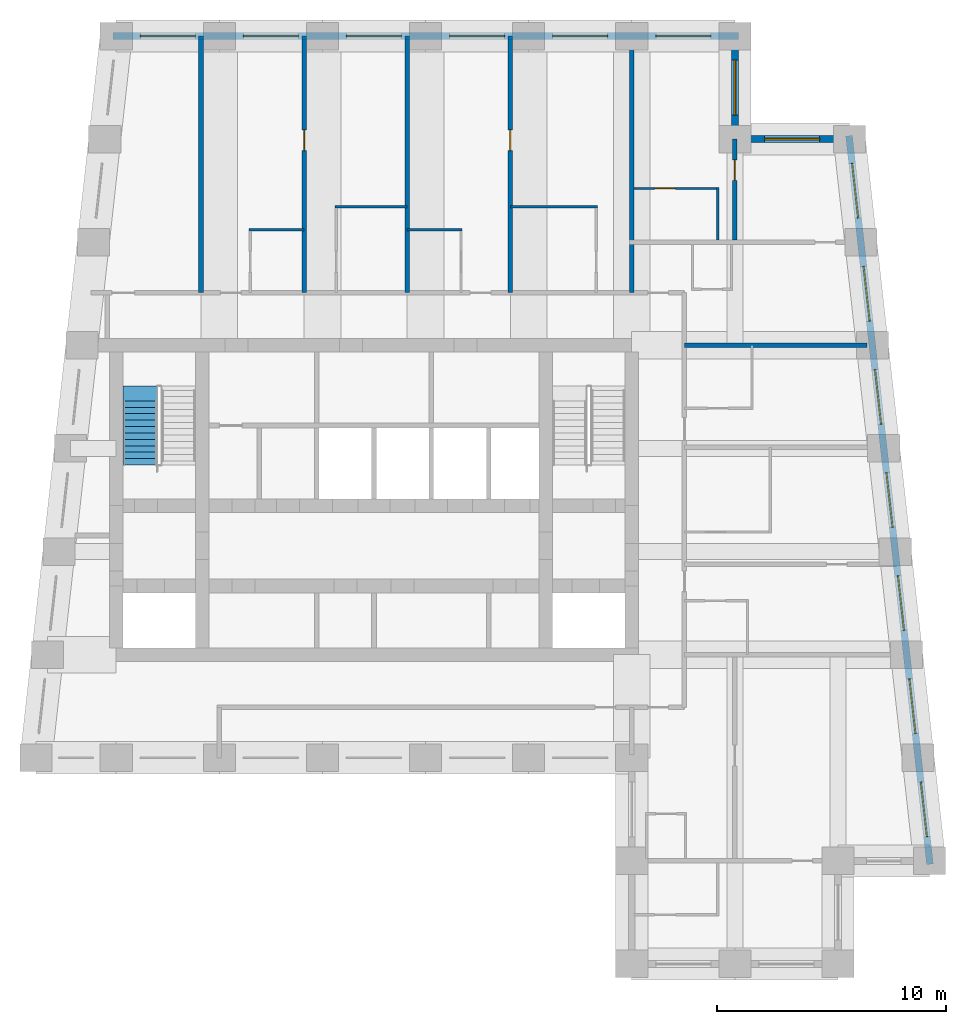
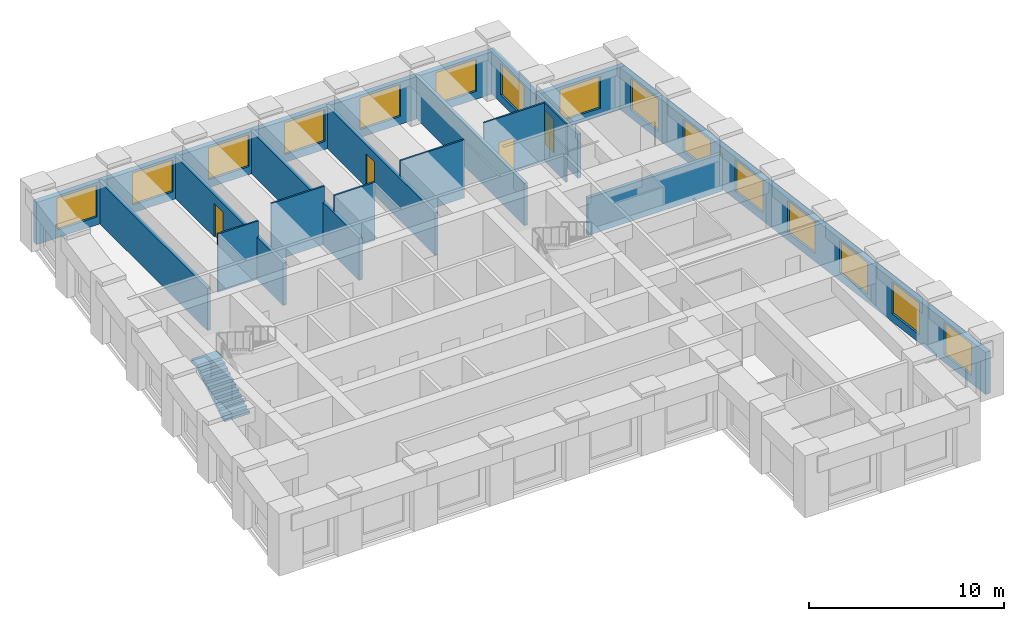
# One storey, part 5 of 7: 17 walls, 15 windows, 4 doors, 1 stair flight, 19 openings, 1 element without a shape of its own.
"""IFC4 building model written with IfcOpenShell, lengths in metres."""

from ifc_helpers import new_model, si_unit, direction, frame, frame_2d, origin, place, context, subcontext, project, spatial, polyline, rectangle, outline, extrude, material, layer, layer_set, type_object, element, fill, aggregate, save


model = new_model("IFC4")

# Units and contexts
model_context = context("Model", 3, precision=1e-05, world=origin(), true_north=direction((0.0, 1.0)))
body_context = subcontext(model_context, "Body", "Model", "MODEL_VIEW")
ifc_project = project(units=[si_unit("LENGTHUNIT", "METRE"), si_unit("AREAUNIT", "SQUARE_METRE"), si_unit("VOLUMEUNIT", "CUBIC_METRE"), si_unit("PLANEANGLEUNIT", "RADIAN"), si_unit("MASSUNIT", "GRAM", prefix="KILO")], contexts=[model_context])

# Site, building, storey
site_placement = place(None, origin())
site = spatial("IfcSite", under=ifc_project, at=site_placement, CompositionType="ELEMENT")
building_placement = place(site_placement, origin())
building = spatial("IfcBuilding", under=site, at=building_placement, Name="Kilele Tower Hotel", CompositionType="ELEMENT")
storey_placement = place(building_placement, frame((0.0, 0.0, 270.199951171875)))
storey = spatial("IfcBuildingStorey", under=building, at=storey_placement, Name="L69", CompositionType="ELEMENT", Elevation=270.199951171875)

# Walls
ifc_material_1 = material(Name="Moisture-resistant board")
ifc_layer_1 = layer(ifc_material_1, 0.10009765625)
ifc_layer_set_1 = layer_set([ifc_layer_1], Name="Moisture-resistant board")
wall_type_1 = type_object("IfcWallType", Name="Bathroom partition 100", PredefinedType="PLUMBINGWALL", material=ifc_layer_set_1)
wall_1_placement = place(storey_placement, frame((19.300048828125, 32.050048828125, 0.0), z_axis=(0.0, 0.0, 1.0), x_axis=(1.0, 0.0, 0.0)))
element("IfcWall", 1, at=wall_1_placement, inside=storey, type_object=wall_type_1, Name="Bathroom partition 100 L69", PredefinedType="PLUMBINGWALL", context=body_context, shape_type="SweptSolid", body=[
    extrude(rectangle(XDim=2.39990234375, YDim=0.10009765625, at=frame_2d((1.199951171875, 0.0))), origin(), (0.0, 0.0, 1.0), 3.650146484375),
])
wall_2_placement = place(storey_placement, frame((23.050048828125, 33.050048828125, 0.0), z_axis=(0.0, 0.0, 1.0), x_axis=(1.0, 0.0, 0.0)))
element("IfcWall", 2, at=wall_2_placement, inside=storey, type_object=wall_type_1, Name="Bathroom partition 100 L69", PredefinedType="PLUMBINGWALL", context=body_context, shape_type="SweptSolid", body=[
    extrude(rectangle(XDim=3.14990234375, YDim=0.10009765625, at=frame_2d((1.574951171875, 0.0))), origin(), (0.0, 0.0, 1.0), 3.650146484375),
])
wall_3_placement = place(storey_placement, frame((26.199951171875, 32.050048828125, 0.0), z_axis=(0.0, 0.0, 1.0), x_axis=(1.0, 0.0, 0.0)))
element("IfcWall", 3, at=wall_3_placement, inside=storey, type_object=wall_type_1, Name="Bathroom partition 100 L69", PredefinedType="PLUMBINGWALL", context=body_context, shape_type="SweptSolid", body=[
    extrude(rectangle(XDim=2.400146484375, YDim=0.10009765625, at=frame_2d((1.2001953125, 0.0))), origin(), (0.0, 0.0, 1.0), 3.650146484375),
])
wall_4_placement = place(storey_placement, frame((30.699951171875, 33.050048828125, 0.0), z_axis=(0.0, 0.0, 1.0), x_axis=(1.0, 0.0, 0.0)))
element("IfcWall", 4, at=wall_4_placement, inside=storey, type_object=wall_type_1, Name="Bathroom partition 100 L69", PredefinedType="PLUMBINGWALL", context=body_context, shape_type="SweptSolid", body=[
    extrude(rectangle(XDim=3.800048828125, YDim=0.10009765625, at=frame_2d((1.89990234375, 0.0))), origin(), (0.0, 0.0, 1.0), 3.650146484375),
])
wall_5_placement = place(storey_placement, frame((39.75, 31.60009765625, 0.0), z_axis=(0.0, 0.0, 1.0), x_axis=(0.0, 1.0, 0.0)))
element("IfcWall", 5, at=wall_5_placement, inside=storey, type_object=wall_type_1, Name="Bathroom partition 100 L69", PredefinedType="PLUMBINGWALL", context=body_context, shape_type="SweptSolid", body=[
    extrude(rectangle(XDim=2.2998046875, YDim=0.10009765625, at=frame_2d((1.14990234375, 0.0))), origin(), (0.0, 0.0, 1.0), 3.650146484375),
])

# Wall, opening, door
wall_6_placement = place(storey_placement, frame((36.10009765625, 33.85009765625, 0.0), z_axis=(0.0, 0.0, 1.0), x_axis=(1.0, 0.0, 0.0)))
wall_6 = element("IfcWall", 6, at=wall_6_placement, inside=storey, type_object=wall_type_1, Name="Bathroom partition 100 L69", PredefinedType="PLUMBINGWALL", context=body_context, shape_type="SweptSolid", body=[
    extrude(rectangle(XDim=3.699951171875, YDim=0.10009765625, at=frame_2d((1.85009765625, 0.0))), origin(), (0.0, 0.0, 1.0), 3.650146484375),
])
opening_1_placement = place(wall_6_placement, frame((0.89990234375, 0.0, 0.0)))
opening_1 = element("IfcOpeningElement", 7, at=opening_1_placement, cuts=wall_6, Name="Opening D2A", PredefinedType="OPENING", context=body_context, shape_type="SweptSolid", body=[
    extrude(rectangle(XDim=0.89990234375, YDim=2.10009765625, at=frame_2d((0.449951171875, 1.050048828125))), frame((0.0, 0.06005859375, 0.0), z_axis=(0.0, -1.0, 0.0), x_axis=(1.0, 0.0, 0.0)), (0.0, 0.0, 1.0), 0.1201171875),
])
ifc_material_2 = material(Name="Timber door leaf in hardwood frame", Category="wood")
door_type_1 = type_object("IfcDoorType", Name="Bathroom door 900", OperationType="SINGLE_SWING_LEFT", PredefinedType="DOOR", material=ifc_material_2)
door_1_placement = place(opening_1_placement, origin())
door_1 = element("IfcDoor", 8, at=door_1_placement, inside=storey, type_object=door_type_1, Name="Bathroom door 6915B", OperationType="SINGLE_SWING_LEFT", OverallHeight=2.10009765625, OverallWidth=0.89990234375, PredefinedType="DOOR", context=body_context, shape_type="SweptSolid", body=[
    extrude(rectangle(XDim=0.89990234375, YDim=2.10009765625, at=frame_2d((0.449951171875, 1.050048828125))), frame((0.0, 0.02490234375, 0.0), z_axis=(0.0, -1.0, 0.0), x_axis=(1.0, 0.0, 0.0)), (0.0, 0.0, 1.0), 0.050048828125),
])
fill(opening_1, door_1)

ifc_material_3 = material(Name="Blockwork, plastered both sides", Category="masonry")
ifc_layer_2 = layer(ifc_material_3, 0.199951171875)
ifc_layer_set_2 = layer_set([ifc_layer_2], Name="Blockwork, plastered both sides")
wall_type_2 = type_object("IfcWallType", Name="Partition wall 200", PredefinedType="PARTITIONING", material=ifc_layer_set_2)
wall_7_placement = place(storey_placement, frame((40.5, 31.60009765625, 0.0), z_axis=(0.0, 0.0, 1.0), x_axis=(0.0, 1.0, 0.0)))
wall_7 = element("IfcWall", 9, at=wall_7_placement, inside=storey, type_object=wall_type_2, Name="Partition wall 200 L69", PredefinedType="PARTITIONING", context=body_context, shape_type="SweptSolid", body=[
    extrude(rectangle(XDim=4.39990234375, YDim=0.199951171875, at=frame_2d((2.199951171875, 0.0))), origin(), (0.0, 0.0, 1.0), 2.75),
])
opening_2_placement = place(wall_7_placement, frame((2.60009765625, 0.0, 0.0)))
opening_2 = element("IfcOpeningElement", 10, at=opening_2_placement, cuts=wall_7, Name="Opening D3", PredefinedType="OPENING", context=body_context, shape_type="SweptSolid", body=[
    extrude(rectangle(XDim=0.89990234375, YDim=2.10009765625, at=frame_2d((0.449951171875, 1.050048828125))), frame((0.0, 0.10986328125, 0.0), z_axis=(0.0, -1.0, 0.0), x_axis=(1.0, 0.0, 0.0)), (0.0, 0.0, 1.0), 0.219970703125),
])
ifc_material_4 = material(Name="Timber door leaf in hardwood frame", Category="wood")
door_type_2 = type_object("IfcDoorType", Name="Suite internal door 900", OperationType="SINGLE_SWING_LEFT", PredefinedType="DOOR", material=ifc_material_4)
door_2_placement = place(opening_2_placement, origin())
door_2 = element("IfcDoor", 11, at=door_2_placement, inside=storey, type_object=door_type_2, Name="Suite door 6916", OperationType="SINGLE_SWING_LEFT", OverallHeight=2.10009765625, OverallWidth=0.89990234375, PredefinedType="DOOR", context=body_context, shape_type="SweptSolid", body=[
    extrude(rectangle(XDim=0.89990234375, YDim=2.10009765625, at=frame_2d((0.449951171875, 1.050048828125))), frame((0.0, 0.02490234375, 0.0), z_axis=(0.0, -1.0, 0.0), x_axis=(1.0, 0.0, 0.0)), (0.0, 0.0, 1.0), 0.050048828125),
])
fill(opening_2, door_2)

# Wall
ifc_material_5 = material(Name="Blockwork, plastered both sides", Category="masonry")
ifc_layer_3 = layer(ifc_material_5, 0.199951171875)
ifc_layer_set_3 = layer_set([ifc_layer_3], Name="Blockwork, plastered both sides")
wall_type_3 = type_object("IfcWallType", Name="Party wall 200", PredefinedType="PARTITIONING", material=ifc_layer_set_3)
wall_8_placement = place(storey_placement, frame((17.199951171875, 29.300048828125, 0.0), z_axis=(0.0, 0.0, 1.0), x_axis=(0.0, 1.0, 0.0)))
element("IfcWall", 12, at=wall_8_placement, inside=storey, type_object=wall_type_3, Name="Party wall 200 L69", PredefinedType="PARTITIONING", context=body_context, shape_type="SweptSolid", body=[
    extrude(rectangle(XDim=11.199951171875, YDim=0.199951171875, at=frame_2d((5.60009765625, 0.0))), origin(), (0.0, 0.0, 1.0), 2.650146484375),
])

# Wall, opening, door
wall_9_placement = place(storey_placement, frame((21.699951171875, 29.300048828125, 0.0), z_axis=(0.0, 0.0, 1.0), x_axis=(0.0, 1.0, 0.0)))
wall_9 = element("IfcWall", 13, at=wall_9_placement, inside=storey, type_object=wall_type_3, Name="Party wall 200 L69", PredefinedType="PARTITIONING", context=body_context, shape_type="SweptSolid", body=[
    extrude(rectangle(XDim=11.199951171875, YDim=0.199951171875, at=frame_2d((5.60009765625, 0.0))), origin(), (0.0, 0.0, 1.0), 2.650146484375),
])
opening_3_placement = place(wall_9_placement, frame((6.199951171875, 0.0, 0.0)))
opening_3 = element("IfcOpeningElement", 14, at=opening_3_placement, cuts=wall_9, Name="Opening D3", PredefinedType="OPENING", context=body_context, shape_type="SweptSolid", body=[
    extrude(rectangle(XDim=0.89990234375, YDim=2.10009765625, at=frame_2d((0.449951171875, 1.050048828125))), frame((0.0, 0.10986328125, 0.0), z_axis=(0.0, -1.0, 0.0), x_axis=(1.0, 0.0, 0.0)), (0.0, 0.0, 1.0), 0.219970703125),
])
door_3_placement = place(opening_3_placement, origin())
door_3 = element("IfcDoor", 15, at=door_3_placement, inside=storey, type_object=door_type_2, Name="Suite door 6908", OperationType="SINGLE_SWING_RIGHT", OverallHeight=2.10009765625, OverallWidth=0.89990234375, PredefinedType="DOOR", context=body_context, shape_type="SweptSolid", body=[
    extrude(rectangle(XDim=0.89990234375, YDim=2.10009765625, at=frame_2d((0.449951171875, 1.050048828125))), frame((0.0, 0.02490234375, 0.0), z_axis=(0.0, -1.0, 0.0), x_axis=(1.0, 0.0, 0.0)), (0.0, 0.0, 1.0), 0.050048828125),
])
fill(opening_3, door_3)

# Wall
wall_10_placement = place(storey_placement, frame((26.199951171875, 29.300048828125, 0.0), z_axis=(0.0, 0.0, 1.0), x_axis=(0.0, 1.0, 0.0)))
element("IfcWall", 16, at=wall_10_placement, inside=storey, type_object=wall_type_3, Name="Party wall 200 L69", PredefinedType="PARTITIONING", context=body_context, shape_type="SweptSolid", body=[
    extrude(rectangle(XDim=11.199951171875, YDim=0.199951171875, at=frame_2d((5.60009765625, 0.0))), origin(), (0.0, 0.0, 1.0), 2.650146484375),
])

# Wall, opening, door
wall_11_placement = place(storey_placement, frame((30.699951171875, 29.300048828125, 0.0), z_axis=(0.0, 0.0, 1.0), x_axis=(0.0, 1.0, 0.0)))
wall_11 = element("IfcWall", 17, at=wall_11_placement, inside=storey, type_object=wall_type_3, Name="Party wall 200 L69", PredefinedType="PARTITIONING", context=body_context, shape_type="SweptSolid", body=[
    extrude(rectangle(XDim=11.199951171875, YDim=0.199951171875, at=frame_2d((5.60009765625, 0.0))), origin(), (0.0, 0.0, 1.0), 2.650146484375),
])
opening_4_placement = place(wall_11_placement, frame((6.199951171875, 0.0, 0.0)))
opening_4 = element("IfcOpeningElement", 18, at=opening_4_placement, cuts=wall_11, Name="Opening D3", PredefinedType="OPENING", context=body_context, shape_type="SweptSolid", body=[
    extrude(rectangle(XDim=0.89990234375, YDim=2.10009765625, at=frame_2d((0.449951171875, 1.050048828125))), frame((0.0, 0.10986328125, 0.0), z_axis=(0.0, -1.0, 0.0), x_axis=(1.0, 0.0, 0.0)), (0.0, 0.0, 1.0), 0.219970703125),
])
door_4_placement = place(opening_4_placement, origin())
door_4 = element("IfcDoor", 19, at=door_4_placement, inside=storey, type_object=door_type_2, Name="Suite door 6910", OperationType="SINGLE_SWING_RIGHT", OverallHeight=2.10009765625, OverallWidth=0.89990234375, PredefinedType="DOOR", context=body_context, shape_type="SweptSolid", body=[
    extrude(rectangle(XDim=0.89990234375, YDim=2.10009765625, at=frame_2d((0.449951171875, 1.050048828125))), frame((0.0, 0.02490234375, 0.0), z_axis=(0.0, -1.0, 0.0), x_axis=(1.0, 0.0, 0.0)), (0.0, 0.0, 1.0), 0.050048828125),
])
fill(opening_4, door_4)

# Walls
wall_12_placement = place(storey_placement, frame((38.300048828125, 27.0, 0.0), z_axis=(0.0, 0.0, 1.0), x_axis=(1.0, 0.0, 0.0)))
element("IfcWall", 20, at=wall_12_placement, inside=storey, type_object=wall_type_3, Name="Party wall 200 L69", PredefinedType="PARTITIONING", context=body_context, shape_type="SweptSolid", body=[
    extrude(rectangle(XDim=7.976806640625, YDim=0.199951171875, at=frame_2d((3.98828125, 0.0))), origin(), (0.0, 0.0, 1.0), 2.35009765625),
])
wall_13_placement = place(storey_placement, frame((36.0, 29.300048828125, 0.0), z_axis=(0.0, 0.0, 1.0), x_axis=(0.0, 1.0, 0.0)))
element("IfcWall", 21, at=wall_13_placement, inside=storey, type_object=wall_type_3, Name="Party wall 200 L69", PredefinedType="PARTITIONING", context=body_context, shape_type="SweptSolid", body=[
    extrude(rectangle(XDim=11.199951171875, YDim=0.199951171875, at=frame_2d((5.60009765625, 0.0))), origin(), (0.0, 0.0, 1.0), 2.650146484375),
])

# Wall, openings, windows
ifc_material_6 = material(Name="Concrete C40/50 precast", Category="concrete")
ifc_layer_4 = layer(ifc_material_6, 0.260009765625, Name="Precast backing", Category="LoadBearing")
ifc_material_7 = material(Name="Reconstituted stone finish", Category="masonry")
ifc_layer_5 = layer(ifc_material_7, 0.0400390625, Name="Face mix", Category="Finish")
ifc_layer_set_4 = layer_set([ifc_layer_4, ifc_layer_5], Name="Precast concrete C40/50, reconstituted stone finish")
wall_type_4 = type_object("IfcWallType", Name="Precast stone facade wall 300", PredefinedType="STANDARD", material=ifc_layer_set_4)
wall_14_placement = place(storey_placement, frame((49.0166015625, 4.350830078125, 0.0), z_axis=(0.0, 0.0, 1.0), x_axis=(-0.110433201132, 0.993883548555, 0.0)))
wall_14 = element("IfcWall", 22, at=wall_14_placement, inside=storey, type_object=wall_type_4, Name="Facade wall L69 edge 6", PredefinedType="STANDARD", context=body_context, shape_type="SweptSolid", body=[
    extrude(rectangle(XDim=31.994140625, YDim=0.300048828125, at=frame_2d((15.9970703125, 0.0))), origin(), (0.0, 0.0, 1.0), 2.650146484375),
])
opening_5_placement = place(wall_14_placement, frame((1.214111328125, 0.0, 0.5)))
opening_5 = element("IfcOpeningElement", 23, at=opening_5_placement, cuts=wall_14, Name="Opening W4", PredefinedType="OPENING", context=body_context, shape_type="SweptSolid", body=[
    extrude(rectangle(XDim=2.39990234375, YDim=2.0, at=frame_2d((1.199951171875, 1.0))), frame((0.0, 0.159912109375, 0.0), z_axis=(0.0, -1.0, 0.0), x_axis=(1.0, 0.0, 0.0)), (0.0, 0.0, 1.0), 0.320068359375),
])
opening_6_placement = place(wall_14_placement, frame((5.741943359375, 0.0, 0.5)))
opening_6 = element("IfcOpeningElement", 24, at=opening_6_placement, cuts=wall_14, Name="Opening W4", PredefinedType="OPENING", context=body_context, shape_type="SweptSolid", body=[
    extrude(rectangle(XDim=2.39990234375, YDim=2.0, at=frame_2d((1.199951171875, 1.0))), frame((0.0, 0.159912109375, 0.0), z_axis=(0.0, -1.0, 0.0), x_axis=(1.0, 0.0, 0.0)), (0.0, 0.0, 1.0), 0.320068359375),
])
opening_7_placement = place(wall_14_placement, frame((10.26904296875, 0.0, 0.5)))
opening_7 = element("IfcOpeningElement", 25, at=opening_7_placement, cuts=wall_14, Name="Opening W4", PredefinedType="OPENING", context=body_context, shape_type="SweptSolid", body=[
    extrude(rectangle(XDim=2.39990234375, YDim=2.0, at=frame_2d((1.199951171875, 1.0))), frame((0.0, 0.159912109375, 0.0), z_axis=(0.0, -1.0, 0.0), x_axis=(1.0, 0.0, 0.0)), (0.0, 0.0, 1.0), 0.320068359375),
])
opening_8_placement = place(wall_14_placement, frame((14.797119140625, 0.0, 0.5)))
opening_8 = element("IfcOpeningElement", 26, at=opening_8_placement, cuts=wall_14, Name="Opening W4", PredefinedType="OPENING", context=body_context, shape_type="SweptSolid", body=[
    extrude(rectangle(XDim=2.39990234375, YDim=2.0, at=frame_2d((1.199951171875, 1.0))), frame((0.0, 0.159912109375, 0.0), z_axis=(0.0, -1.0, 0.0), x_axis=(1.0, 0.0, 0.0)), (0.0, 0.0, 1.0), 0.320068359375),
])
opening_9_placement = place(wall_14_placement, frame((19.324951171875, 0.0, 0.5)))
opening_9 = element("IfcOpeningElement", 27, at=opening_9_placement, cuts=wall_14, Name="Opening W4", PredefinedType="OPENING", context=body_context, shape_type="SweptSolid", body=[
    extrude(rectangle(XDim=2.39990234375, YDim=2.0, at=frame_2d((1.199951171875, 1.0))), frame((0.0, 0.159912109375, 0.0), z_axis=(0.0, -1.0, 0.0), x_axis=(1.0, 0.0, 0.0)), (0.0, 0.0, 1.0), 0.320068359375),
])
opening_10_placement = place(wall_14_placement, frame((23.85205078125, 0.0, 0.5)))
opening_10 = element("IfcOpeningElement", 28, at=opening_10_placement, cuts=wall_14, Name="Opening W4", PredefinedType="OPENING", context=body_context, shape_type="SweptSolid", body=[
    extrude(rectangle(XDim=2.39990234375, YDim=2.0, at=frame_2d((1.199951171875, 1.0))), frame((0.0, 0.159912109375, 0.0), z_axis=(0.0, -1.0, 0.0), x_axis=(1.0, 0.0, 0.0)), (0.0, 0.0, 1.0), 0.320068359375),
])
opening_11_placement = place(wall_14_placement, frame((28.3798828125, 0.0, 0.5)))
opening_11 = element("IfcOpeningElement", 29, at=opening_11_placement, cuts=wall_14, Name="Opening W4", PredefinedType="OPENING", context=body_context, shape_type="SweptSolid", body=[
    extrude(rectangle(XDim=2.39990234375, YDim=2.0, at=frame_2d((1.199951171875, 1.0))), frame((0.0, 0.159912109375, 0.0), z_axis=(0.0, -1.0, 0.0), x_axis=(1.0, 0.0, 0.0)), (0.0, 0.0, 1.0), 0.320068359375),
])
ifc_material_8 = material(Name="Aluminium frame, clear double glazing", Category="aluminium")
window_type = type_object("IfcWindowType", Name="Window W4 2400 x 2000", PartitioningType="SINGLE_PANEL", PredefinedType="WINDOW", material=ifc_material_8)
window_1_placement = place(opening_5_placement, origin())
window_1 = element("IfcWindow", 30, at=window_1_placement, inside=storey, type_object=window_type, Name="Window L69", OverallHeight=2.0, OverallWidth=2.39990234375, PartitioningType="SINGLE_PANEL", PredefinedType="WINDOW", context=body_context, shape_type="SweptSolid", body=[
    extrude(rectangle(XDim=2.39990234375, YDim=2.0, at=frame_2d((1.199951171875, 1.0))), frame((0.0, 0.030029296875, 0.0), z_axis=(0.0, -1.0, 0.0), x_axis=(1.0, 0.0, 0.0)), (0.0, 0.0, 1.0), 0.06005859375),
])
fill(opening_5, window_1)
window_2_placement = place(opening_6_placement, origin())
window_2 = element("IfcWindow", 31, at=window_2_placement, inside=storey, type_object=window_type, Name="Window L69", OverallHeight=2.0, OverallWidth=2.39990234375, PartitioningType="SINGLE_PANEL", PredefinedType="WINDOW", context=body_context, shape_type="SweptSolid", body=[
    extrude(rectangle(XDim=2.39990234375, YDim=2.0, at=frame_2d((1.199951171875, 1.0))), frame((0.0, 0.030029296875, 0.0), z_axis=(0.0, -1.0, 0.0), x_axis=(1.0, 0.0, 0.0)), (0.0, 0.0, 1.0), 0.06005859375),
])
fill(opening_6, window_2)
window_3_placement = place(opening_7_placement, origin())
window_3 = element("IfcWindow", 32, at=window_3_placement, inside=storey, type_object=window_type, Name="Window L69", OverallHeight=2.0, OverallWidth=2.39990234375, PartitioningType="SINGLE_PANEL", PredefinedType="WINDOW", context=body_context, shape_type="SweptSolid", body=[
    extrude(rectangle(XDim=2.39990234375, YDim=2.0, at=frame_2d((1.199951171875, 1.0))), frame((0.0, 0.030029296875, 0.0), z_axis=(0.0, -1.0, 0.0), x_axis=(1.0, 0.0, 0.0)), (0.0, 0.0, 1.0), 0.06005859375),
])
fill(opening_7, window_3)
window_4_placement = place(opening_8_placement, origin())
window_4 = element("IfcWindow", 33, at=window_4_placement, inside=storey, type_object=window_type, Name="Window L69", OverallHeight=2.0, OverallWidth=2.39990234375, PartitioningType="SINGLE_PANEL", PredefinedType="WINDOW", context=body_context, shape_type="SweptSolid", body=[
    extrude(rectangle(XDim=2.39990234375, YDim=2.0, at=frame_2d((1.199951171875, 1.0))), frame((0.0, 0.030029296875, 0.0), z_axis=(0.0, -1.0, 0.0), x_axis=(1.0, 0.0, 0.0)), (0.0, 0.0, 1.0), 0.06005859375),
])
fill(opening_8, window_4)
window_5_placement = place(opening_9_placement, origin())
window_5 = element("IfcWindow", 34, at=window_5_placement, inside=storey, type_object=window_type, Name="Window L69", OverallHeight=2.0, OverallWidth=2.39990234375, PartitioningType="SINGLE_PANEL", PredefinedType="WINDOW", context=body_context, shape_type="SweptSolid", body=[
    extrude(rectangle(XDim=2.39990234375, YDim=2.0, at=frame_2d((1.199951171875, 1.0))), frame((0.0, 0.030029296875, 0.0), z_axis=(0.0, -1.0, 0.0), x_axis=(1.0, 0.0, 0.0)), (0.0, 0.0, 1.0), 0.06005859375),
])
fill(opening_9, window_5)
window_6_placement = place(opening_10_placement, origin())
window_6 = element("IfcWindow", 35, at=window_6_placement, inside=storey, type_object=window_type, Name="Window L69", OverallHeight=2.0, OverallWidth=2.39990234375, PartitioningType="SINGLE_PANEL", PredefinedType="WINDOW", context=body_context, shape_type="SweptSolid", body=[
    extrude(rectangle(XDim=2.39990234375, YDim=2.0, at=frame_2d((1.199951171875, 1.0))), frame((0.0, 0.030029296875, 0.0), z_axis=(0.0, -1.0, 0.0), x_axis=(1.0, 0.0, 0.0)), (0.0, 0.0, 1.0), 0.06005859375),
])
fill(opening_10, window_6)
window_7_placement = place(opening_11_placement, origin())
window_7 = element("IfcWindow", 36, at=window_7_placement, inside=storey, type_object=window_type, Name="Window L69", OverallHeight=2.0, OverallWidth=2.39990234375, PartitioningType="SINGLE_PANEL", PredefinedType="WINDOW", context=body_context, shape_type="SweptSolid", body=[
    extrude(rectangle(XDim=2.39990234375, YDim=2.0, at=frame_2d((1.199951171875, 1.0))), frame((0.0, 0.030029296875, 0.0), z_axis=(0.0, -1.0, 0.0), x_axis=(1.0, 0.0, 0.0)), (0.0, 0.0, 1.0), 0.06005859375),
])
fill(opening_11, window_7)

# Wall, opening, window
wall_15_placement = place(storey_placement, frame((45.64990234375, 36.0, 0.0), z_axis=(0.0, 0.0, 1.0), x_axis=(-1.0, 0.0, 0.0)))
wall_15 = element("IfcWall", 37, at=wall_15_placement, inside=storey, type_object=wall_type_4, Name="Facade wall L69 edge 7", PredefinedType="STANDARD", context=body_context, shape_type="SweptSolid", body=[
    extrude(rectangle(XDim=5.2998046875, YDim=0.300048828125, at=frame_2d((2.64990234375, 0.0))), origin(), (0.0, 0.0, 1.0), 2.650146484375),
])
opening_12_placement = place(wall_15_placement, frame((1.449951171875, 0.0, 0.5)))
opening_12 = element("IfcOpeningElement", 38, at=opening_12_placement, cuts=wall_15, Name="Opening W4", PredefinedType="OPENING", context=body_context, shape_type="SweptSolid", body=[
    extrude(rectangle(XDim=2.39990234375, YDim=2.0, at=frame_2d((1.199951171875, 1.0))), frame((0.0, 0.159912109375, 0.0), z_axis=(0.0, -1.0, 0.0), x_axis=(1.0, 0.0, 0.0)), (0.0, 0.0, 1.0), 0.320068359375),
])
window_8_placement = place(opening_12_placement, origin())
window_8 = element("IfcWindow", 39, at=window_8_placement, inside=storey, type_object=window_type, Name="Window L69", OverallHeight=2.0, OverallWidth=2.39990234375, PartitioningType="SINGLE_PANEL", PredefinedType="WINDOW", context=body_context, shape_type="SweptSolid", body=[
    extrude(rectangle(XDim=2.39990234375, YDim=2.0, at=frame_2d((1.199951171875, 1.0))), frame((0.0, 0.030029296875, 0.0), z_axis=(0.0, -1.0, 0.0), x_axis=(1.0, 0.0, 0.0)), (0.0, 0.0, 1.0), 0.06005859375),
])
fill(opening_12, window_8)

wall_16_placement = place(storey_placement, frame((40.5, 35.85009765625, 0.0), z_axis=(0.0, 0.0, 1.0), x_axis=(0.0, 1.0, 0.0)))
wall_16 = element("IfcWall", 40, at=wall_16_placement, inside=storey, type_object=wall_type_4, Name="Facade wall L69 edge 8", PredefinedType="STANDARD", context=body_context, shape_type="SweptSolid", body=[
    extrude(rectangle(XDim=4.7998046875, YDim=0.300048828125, at=frame_2d((2.39990234375, 0.0))), origin(), (0.0, 0.0, 1.0), 2.650146484375),
])
opening_13_placement = place(wall_16_placement, frame((1.199951171875, 0.0, 0.5)))
opening_13 = element("IfcOpeningElement", 41, at=opening_13_placement, cuts=wall_16, Name="Opening W4", PredefinedType="OPENING", context=body_context, shape_type="SweptSolid", body=[
    extrude(rectangle(XDim=2.39990234375, YDim=2.0, at=frame_2d((1.199951171875, 1.0))), frame((0.0, 0.159912109375, 0.0), z_axis=(0.0, -1.0, 0.0), x_axis=(1.0, 0.0, 0.0)), (0.0, 0.0, 1.0), 0.320068359375),
])
window_9_placement = place(opening_13_placement, origin())
window_9 = element("IfcWindow", 42, at=window_9_placement, inside=storey, type_object=window_type, Name="Window L69", OverallHeight=2.0, OverallWidth=2.39990234375, PartitioningType="SINGLE_PANEL", PredefinedType="WINDOW", context=body_context, shape_type="SweptSolid", body=[
    extrude(rectangle(XDim=2.39990234375, YDim=2.0, at=frame_2d((1.199951171875, 1.0))), frame((0.0, 0.030029296875, 0.0), z_axis=(0.0, -1.0, 0.0), x_axis=(1.0, 0.0, 0.0)), (0.0, 0.0, 1.0), 0.06005859375),
])
fill(opening_13, window_9)

# Wall, openings, windows
wall_17_placement = place(storey_placement, frame((40.64990234375, 40.5, 0.0), z_axis=(0.0, 0.0, 1.0), x_axis=(-1.0, 0.0, 0.0)))
wall_17 = element("IfcWall", 43, at=wall_17_placement, inside=storey, type_object=wall_type_4, Name="Facade wall L69 edge 9", PredefinedType="STANDARD", context=body_context, shape_type="SweptSolid", body=[
    extrude(rectangle(XDim=27.2998046875, YDim=0.300048828125, at=frame_2d((13.64990234375, 0.0))), origin(), (0.0, 0.0, 1.0), 2.650146484375),
])
opening_14_placement = place(wall_17_placement, frame((1.199951171875, 0.0, 0.5)))
opening_14 = element("IfcOpeningElement", 44, at=opening_14_placement, cuts=wall_17, Name="Opening W4", PredefinedType="OPENING", context=body_context, shape_type="SweptSolid", body=[
    extrude(rectangle(XDim=2.39990234375, YDim=2.0, at=frame_2d((1.199951171875, 1.0))), frame((0.0, 0.159912109375, 0.0), z_axis=(0.0, -1.0, 0.0), x_axis=(1.0, 0.0, 0.0)), (0.0, 0.0, 1.0), 0.320068359375),
])
opening_15_placement = place(wall_17_placement, frame((5.699951171875, 0.0, 0.5)))
opening_15 = element("IfcOpeningElement", 45, at=opening_15_placement, cuts=wall_17, Name="Opening W4", PredefinedType="OPENING", context=body_context, shape_type="SweptSolid", body=[
    extrude(rectangle(XDim=2.39990234375, YDim=2.0, at=frame_2d((1.199951171875, 1.0))), frame((0.0, 0.159912109375, 0.0), z_axis=(0.0, -1.0, 0.0), x_axis=(1.0, 0.0, 0.0)), (0.0, 0.0, 1.0), 0.320068359375),
])
opening_16_placement = place(wall_17_placement, frame((10.199951171875, 0.0, 0.5)))
opening_16 = element("IfcOpeningElement", 46, at=opening_16_placement, cuts=wall_17, Name="Opening W4", PredefinedType="OPENING", context=body_context, shape_type="SweptSolid", body=[
    extrude(rectangle(XDim=2.39990234375, YDim=2.0, at=frame_2d((1.199951171875, 1.0))), frame((0.0, 0.159912109375, 0.0), z_axis=(0.0, -1.0, 0.0), x_axis=(1.0, 0.0, 0.0)), (0.0, 0.0, 1.0), 0.320068359375),
])
opening_17_placement = place(wall_17_placement, frame((14.699951171875, 0.0, 0.5)))
opening_17 = element("IfcOpeningElement", 47, at=opening_17_placement, cuts=wall_17, Name="Opening W4", PredefinedType="OPENING", context=body_context, shape_type="SweptSolid", body=[
    extrude(rectangle(XDim=2.39990234375, YDim=2.0, at=frame_2d((1.199951171875, 1.0))), frame((0.0, 0.159912109375, 0.0), z_axis=(0.0, -1.0, 0.0), x_axis=(1.0, 0.0, 0.0)), (0.0, 0.0, 1.0), 0.320068359375),
])
opening_18_placement = place(wall_17_placement, frame((19.199951171875, 0.0, 0.5)))
opening_18 = element("IfcOpeningElement", 48, at=opening_18_placement, cuts=wall_17, Name="Opening W4", PredefinedType="OPENING", context=body_context, shape_type="SweptSolid", body=[
    extrude(rectangle(XDim=2.39990234375, YDim=2.0, at=frame_2d((1.199951171875, 1.0))), frame((0.0, 0.159912109375, 0.0), z_axis=(0.0, -1.0, 0.0), x_axis=(1.0, 0.0, 0.0)), (0.0, 0.0, 1.0), 0.320068359375),
])
opening_19_placement = place(wall_17_placement, frame((23.699951171875, 0.0, 0.5)))
opening_19 = element("IfcOpeningElement", 49, at=opening_19_placement, cuts=wall_17, Name="Opening W4", PredefinedType="OPENING", context=body_context, shape_type="SweptSolid", body=[
    extrude(rectangle(XDim=2.39990234375, YDim=2.0, at=frame_2d((1.199951171875, 1.0))), frame((0.0, 0.159912109375, 0.0), z_axis=(0.0, -1.0, 0.0), x_axis=(1.0, 0.0, 0.0)), (0.0, 0.0, 1.0), 0.320068359375),
])
window_10_placement = place(opening_14_placement, origin())
window_10 = element("IfcWindow", 50, at=window_10_placement, inside=storey, type_object=window_type, Name="Window L69", OverallHeight=2.0, OverallWidth=2.39990234375, PartitioningType="SINGLE_PANEL", PredefinedType="WINDOW", context=body_context, shape_type="SweptSolid", body=[
    extrude(rectangle(XDim=2.39990234375, YDim=2.0, at=frame_2d((1.199951171875, 1.0))), frame((0.0, 0.030029296875, 0.0), z_axis=(0.0, -1.0, 0.0), x_axis=(1.0, 0.0, 0.0)), (0.0, 0.0, 1.0), 0.06005859375),
])
fill(opening_14, window_10)
window_11_placement = place(opening_15_placement, origin())
window_11 = element("IfcWindow", 51, at=window_11_placement, inside=storey, type_object=window_type, Name="Window L69", OverallHeight=2.0, OverallWidth=2.39990234375, PartitioningType="SINGLE_PANEL", PredefinedType="WINDOW", context=body_context, shape_type="SweptSolid", body=[
    extrude(rectangle(XDim=2.39990234375, YDim=2.0, at=frame_2d((1.199951171875, 1.0))), frame((0.0, 0.030029296875, 0.0), z_axis=(0.0, -1.0, 0.0), x_axis=(1.0, 0.0, 0.0)), (0.0, 0.0, 1.0), 0.06005859375),
])
fill(opening_15, window_11)
window_12_placement = place(opening_16_placement, origin())
window_12 = element("IfcWindow", 52, at=window_12_placement, inside=storey, type_object=window_type, Name="Window L69", OverallHeight=2.0, OverallWidth=2.39990234375, PartitioningType="SINGLE_PANEL", PredefinedType="WINDOW", context=body_context, shape_type="SweptSolid", body=[
    extrude(rectangle(XDim=2.39990234375, YDim=2.0, at=frame_2d((1.199951171875, 1.0))), frame((0.0, 0.030029296875, 0.0), z_axis=(0.0, -1.0, 0.0), x_axis=(1.0, 0.0, 0.0)), (0.0, 0.0, 1.0), 0.06005859375),
])
fill(opening_16, window_12)
window_13_placement = place(opening_17_placement, origin())
window_13 = element("IfcWindow", 53, at=window_13_placement, inside=storey, type_object=window_type, Name="Window L69", OverallHeight=2.0, OverallWidth=2.39990234375, PartitioningType="SINGLE_PANEL", PredefinedType="WINDOW", context=body_context, shape_type="SweptSolid", body=[
    extrude(rectangle(XDim=2.39990234375, YDim=2.0, at=frame_2d((1.199951171875, 1.0))), frame((0.0, 0.030029296875, 0.0), z_axis=(0.0, -1.0, 0.0), x_axis=(1.0, 0.0, 0.0)), (0.0, 0.0, 1.0), 0.06005859375),
])
fill(opening_17, window_13)
window_14_placement = place(opening_18_placement, origin())
window_14 = element("IfcWindow", 54, at=window_14_placement, inside=storey, type_object=window_type, Name="Window L69", OverallHeight=2.0, OverallWidth=2.39990234375, PartitioningType="SINGLE_PANEL", PredefinedType="WINDOW", context=body_context, shape_type="SweptSolid", body=[
    extrude(rectangle(XDim=2.39990234375, YDim=2.0, at=frame_2d((1.199951171875, 1.0))), frame((0.0, 0.030029296875, 0.0), z_axis=(0.0, -1.0, 0.0), x_axis=(1.0, 0.0, 0.0)), (0.0, 0.0, 1.0), 0.06005859375),
])
fill(opening_18, window_14)
window_15_placement = place(opening_19_placement, origin())
window_15 = element("IfcWindow", 55, at=window_15_placement, inside=storey, type_object=window_type, Name="Window L69", OverallHeight=2.0, OverallWidth=2.39990234375, PartitioningType="SINGLE_PANEL", PredefinedType="WINDOW", context=body_context, shape_type="SweptSolid", body=[
    extrude(rectangle(XDim=2.39990234375, YDim=2.0, at=frame_2d((1.199951171875, 1.0))), frame((0.0, 0.030029296875, 0.0), z_axis=(0.0, -1.0, 0.0), x_axis=(1.0, 0.0, 0.0)), (0.0, 0.0, 1.0), 0.06005859375),
])
fill(opening_19, window_15)

# Stair, stair flight
ifc_material_9 = material(Name="Precast concrete C40/50", Category="concrete")
stair_type = type_object("IfcStairType", Name="Stair 1475 x 3900", PredefinedType="HALF_TURN_STAIR", material=ifc_material_9)
stair_placement = place(storey_placement, origin())
stair = element("IfcStair", 56, at=stair_placement, inside=storey, type_object=stair_type, Name="Stair 1 L69", PredefinedType="HALF_TURN_STAIR")
ifc_material_10 = material(Name="Precast concrete C40/50", Category="concrete")
stair_flight_type = type_object("IfcStairFlightType", Name="Flight 1475 riser 169.6", PredefinedType="STRAIGHT", material=ifc_material_10)
stair_flight_placement = place(storey_placement, frame((14.53759765625, 21.77490234375, 0.0), z_axis=(0.0, 0.0, 1.0), x_axis=(0.0, 1.0, 0.0)))
stair_flight = element("IfcStairFlight", 57, at=stair_flight_placement, type_object=stair_flight_type, Name="ST1 flight 1", NumberOfRisers=11, NumberOfTreads=10, PredefinedType="STRAIGHT", RiserHeight=0.169565217, TreadLength=0.28, context=body_context, shape_type="SweptSolid", body=[
    extrude(outline(polyline([(0.0, 0.0), (0.0, 0.169677734375), (0.280029296875, 0.169677734375), (0.280029296875, 0.339111328125), (0.56005859375, 0.339111328125), (0.56005859375, 0.5087890625), (0.840087890625, 0.5087890625), (0.840087890625, 0.67822265625), (1.1201171875, 0.67822265625), (1.1201171875, 0.847900390625), (1.39990234375, 0.847900390625), (1.39990234375, 1.017333984375), (1.679931640625, 1.017333984375), (1.679931640625, 1.18701171875), (1.9599609375, 1.18701171875), (1.9599609375, 1.3564453125), (2.239990234375, 1.3564453125), (2.239990234375, 1.526123046875), (2.52001953125, 1.526123046875), (2.52001953125, 1.695556640625), (2.800048828125, 1.695556640625), (2.800048828125, 1.865234375), (2.800048828125, 1.5205078125), (0.289306640625, 0.0), (0.0, 0.0)])), frame((0.0, 0.737548828125, 0.0), z_axis=(0.0, -1.0, 0.0), x_axis=(1.0, 0.0, 0.0)), (0.0, 0.0, 1.0), 1.47509765625),
    extrude(outline(polyline([(2.800048828125, 0.737548828125), (2.800048828125, -0.7373046875), (3.4501953125, -0.7373046875), (3.4501953125, 0.737548828125), (2.800048828125, 0.737548828125)])), frame((0.0, 0.0, 1.665283203125)), (0.0, 0.0, 1.0), 0.199951171875),
])
aggregate(stair, [stair_flight])

save(model, "model.ifc")
